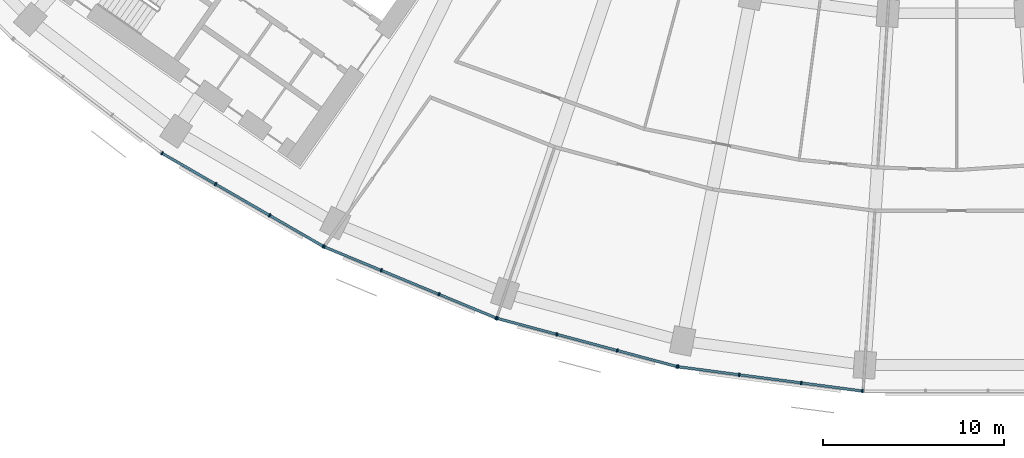
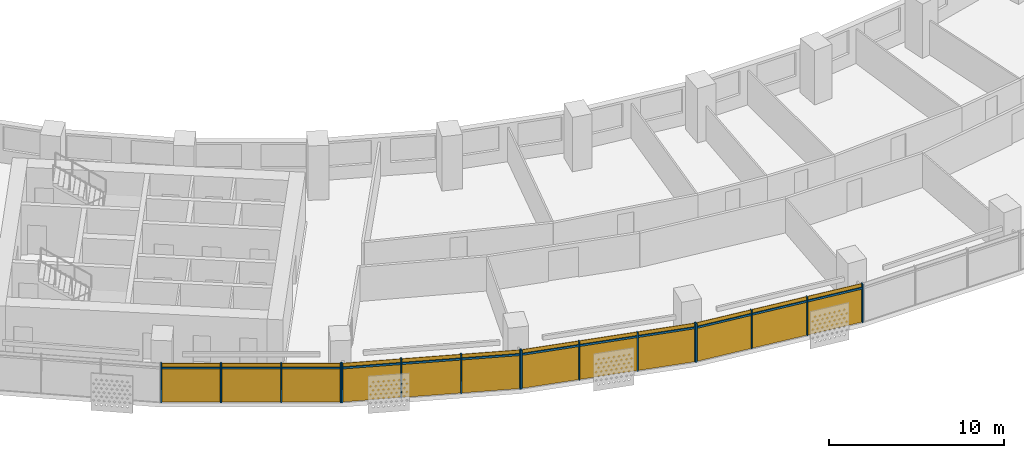
# One storey, part 20 of 29: 28 members, 4 curtain walls.
"""IFC4 building model written with IfcOpenShell, lengths in metres."""

from ifc_helpers import new_model, si_unit, direction, frame, origin, origin_2d, place, context, subcontext, project, spatial, rectangle, extrude, material, material_profile, profile_set, type_object, element, aggregate, save


model = new_model("IFC4")

# Units and contexts
model_context = context("Model", 3, precision=1e-05, world=origin(), true_north=direction((0.0, 1.0)))
body_context = subcontext(model_context, "Body", "Model", "MODEL_VIEW")
ifc_project = project(units=[si_unit("LENGTHUNIT", "METRE"), si_unit("AREAUNIT", "SQUARE_METRE"), si_unit("VOLUMEUNIT", "CUBIC_METRE"), si_unit("PLANEANGLEUNIT", "RADIAN"), si_unit("MASSUNIT", "GRAM", prefix="KILO")], contexts=[model_context])

# Member
ifc_material = material(Name="Aluminium 6063-T6 anodised", Category="aluminium")
ifc_material_profile_1 = material_profile(ifc_material, rectangle(XDim=0.199951171875, YDim=0.070068359375, at=origin_2d()))
ifc_profile_set_1 = profile_set([ifc_material_profile_1], Name="Aluminium 6063-T6 anodised")
member_type_1 = type_object("IfcMemberType", Name="Mullion 70 x 200 aluminium", PredefinedType="MULLION", material=ifc_profile_set_1)
site_placement = place(None, origin())
building_placement = place(site_placement, origin())
storey_placement = place(building_placement, frame((0.0, 0.0, 129.10009765625)))
member_1_placement = place(storey_placement, frame((-43.976318359375, -65.866455078125, 0.0), z_axis=(0.0, 0.0, 1.0), x_axis=(0.5, 0.866025403784, 0.0)))
member_1 = element("IfcMember", 1, at=member_1_placement, type_object=member_type_1, Name="e-cw1-L29-out05/M00", PredefinedType="MULLION", context=body_context, shape_type="SweptSolid", body=[
    extrude(rectangle(XDim=0.199951171875, YDim=0.070068359375, at=origin_2d()), origin(), (0.0, 0.0, 1.0), 2.699951171875),
])

member_2_placement = place(storey_placement, frame((-41.01220703125, -67.577880859375, 0.0), z_axis=(0.0, 0.0, 1.0), x_axis=(0.5, 0.866025403784, 0.0)))
member_2 = element("IfcMember", 2, at=member_2_placement, type_object=member_type_1, Name="e-cw1-L29-out05/M01", PredefinedType="MULLION", context=body_context, shape_type="SweptSolid", body=[
    extrude(rectangle(XDim=0.199951171875, YDim=0.070068359375, at=origin_2d()), origin(), (0.0, 0.0, 1.0), 2.699951171875),
])

member_3_placement = place(storey_placement, frame((-38.017822265625, -69.306640625, 0.0), z_axis=(0.0, 0.0, 1.0), x_axis=(0.5, 0.866025403784, 0.0)))
member_3 = element("IfcMember", 3, at=member_3_placement, type_object=member_type_1, Name="e-cw1-L29-out05/M02", PredefinedType="MULLION", context=body_context, shape_type="SweptSolid", body=[
    extrude(rectangle(XDim=0.199951171875, YDim=0.070068359375, at=origin_2d()), origin(), (0.0, 0.0, 1.0), 2.699951171875),
])

member_4_placement = place(storey_placement, frame((-35.0537109375, -71.017822265625, 0.0), z_axis=(0.0, 0.0, 1.0), x_axis=(0.5, 0.866025403784, 0.0)))
member_4 = element("IfcMember", 4, at=member_4_placement, type_object=member_type_1, Name="e-cw1-L29-out05/M03", PredefinedType="MULLION", context=body_context, shape_type="SweptSolid", body=[
    extrude(rectangle(XDim=0.199951171875, YDim=0.070068359375, at=origin_2d()), origin(), (0.0, 0.0, 1.0), 2.699951171875),
])

member_5_placement = place(storey_placement, frame((-35.0029296875, -71.04296875, 0.0), z_axis=(0.0, 0.0, 1.0), x_axis=(0.382683432365, 0.923879532511, 0.0)))
member_5 = element("IfcMember", 5, at=member_5_placement, type_object=member_type_1, Name="e-cw1-L29-out06/M00", PredefinedType="MULLION", context=body_context, shape_type="SweptSolid", body=[
    extrude(rectangle(XDim=0.199951171875, YDim=0.070068359375, at=origin_2d()), origin(), (0.0, 0.0, 1.0), 2.699951171875),
])

member_6_placement = place(storey_placement, frame((-31.8408203125, -72.352783203125, 0.0), z_axis=(0.0, 0.0, 1.0), x_axis=(0.382683432365, 0.923879532511, 0.0)))
member_6 = element("IfcMember", 6, at=member_6_placement, type_object=member_type_1, Name="e-cw1-L29-out06/M01", PredefinedType="MULLION", context=body_context, shape_type="SweptSolid", body=[
    extrude(rectangle(XDim=0.199951171875, YDim=0.070068359375, at=origin_2d()), origin(), (0.0, 0.0, 1.0), 2.699951171875),
])

member_7_placement = place(storey_placement, frame((-28.646240234375, -73.676025390625, 0.0), z_axis=(0.0, 0.0, 1.0), x_axis=(0.382683432365, 0.923879532511, 0.0)))
member_7 = element("IfcMember", 7, at=member_7_placement, type_object=member_type_1, Name="e-cw1-L29-out06/M02", PredefinedType="MULLION", context=body_context, shape_type="SweptSolid", body=[
    extrude(rectangle(XDim=0.199951171875, YDim=0.070068359375, at=origin_2d()), origin(), (0.0, 0.0, 1.0), 2.699951171875),
])

member_8_placement = place(storey_placement, frame((-25.484130859375, -74.98583984375, 0.0), z_axis=(0.0, 0.0, 1.0), x_axis=(0.382683432365, 0.923879532511, 0.0)))
member_8 = element("IfcMember", 8, at=member_8_placement, type_object=member_type_1, Name="e-cw1-L29-out06/M03", PredefinedType="MULLION", context=body_context, shape_type="SweptSolid", body=[
    extrude(rectangle(XDim=0.199951171875, YDim=0.070068359375, at=origin_2d()), origin(), (0.0, 0.0, 1.0), 2.699951171875),
])

member_9_placement = place(storey_placement, frame((-25.430419921875, -75.00390625, 0.0), z_axis=(0.0, 0.0, 1.0), x_axis=(0.258819045103, 0.965925826289, 0.0)))
member_9 = element("IfcMember", 9, at=member_9_placement, type_object=member_type_1, Name="e-cw1-L29-out07/M00", PredefinedType="MULLION", context=body_context, shape_type="SweptSolid", body=[
    extrude(rectangle(XDim=0.199951171875, YDim=0.070068359375, at=origin_2d()), origin(), (0.0, 0.0, 1.0), 2.699951171875),
])

member_10_placement = place(storey_placement, frame((-22.12451171875, -75.889892578125, 0.0), z_axis=(0.0, 0.0, 1.0), x_axis=(0.258819045103, 0.965925826289, 0.0)))
member_10 = element("IfcMember", 10, at=member_10_placement, type_object=member_type_1, Name="e-cw1-L29-out07/M01", PredefinedType="MULLION", context=body_context, shape_type="SweptSolid", body=[
    extrude(rectangle(XDim=0.199951171875, YDim=0.070068359375, at=origin_2d()), origin(), (0.0, 0.0, 1.0), 2.699951171875),
])

member_11_placement = place(storey_placement, frame((-18.78466796875, -76.78466796875, 0.0), z_axis=(0.0, 0.0, 1.0), x_axis=(0.258819045103, 0.965925826289, 0.0)))
member_11 = element("IfcMember", 11, at=member_11_placement, type_object=member_type_1, Name="e-cw1-L29-out07/M02", PredefinedType="MULLION", context=body_context, shape_type="SweptSolid", body=[
    extrude(rectangle(XDim=0.199951171875, YDim=0.070068359375, at=origin_2d()), origin(), (0.0, 0.0, 1.0), 2.699951171875),
])

member_12_placement = place(storey_placement, frame((-15.478515625, -77.670654296875, 0.0), z_axis=(0.0, 0.0, 1.0), x_axis=(0.258819045103, 0.965925826289, 0.0)))
member_12 = element("IfcMember", 12, at=member_12_placement, type_object=member_type_1, Name="e-cw1-L29-out07/M03", PredefinedType="MULLION", context=body_context, shape_type="SweptSolid", body=[
    extrude(rectangle(XDim=0.199951171875, YDim=0.070068359375, at=origin_2d()), origin(), (0.0, 0.0, 1.0), 2.699951171875),
])

member_13_placement = place(storey_placement, frame((-15.4228515625, -77.681640625, 0.0), z_axis=(0.0, 0.0, 1.0), x_axis=(0.13052619222, 0.991444861374, 0.0)))
member_13 = element("IfcMember", 13, at=member_13_placement, type_object=member_type_1, Name="e-cw1-L29-out08/M00", PredefinedType="MULLION", context=body_context, shape_type="SweptSolid", body=[
    extrude(rectangle(XDim=0.199951171875, YDim=0.070068359375, at=origin_2d()), origin(), (0.0, 0.0, 1.0), 2.699951171875),
])

member_14_placement = place(storey_placement, frame((-12.029541015625, -78.12841796875, 0.0), z_axis=(0.0, 0.0, 1.0), x_axis=(0.13052619222, 0.991444861374, 0.0)))
member_14 = element("IfcMember", 14, at=member_14_placement, type_object=member_type_1, Name="e-cw1-L29-out08/M01", PredefinedType="MULLION", context=body_context, shape_type="SweptSolid", body=[
    extrude(rectangle(XDim=0.199951171875, YDim=0.070068359375, at=origin_2d()), origin(), (0.0, 0.0, 1.0), 2.699951171875),
])

member_15_placement = place(storey_placement, frame((-8.6015625, -78.579833984375, 0.0), z_axis=(0.0, 0.0, 1.0), x_axis=(0.13052619222, 0.991444861374, 0.0)))
member_15 = element("IfcMember", 15, at=member_15_placement, type_object=member_type_1, Name="e-cw1-L29-out08/M02", PredefinedType="MULLION", context=body_context, shape_type="SweptSolid", body=[
    extrude(rectangle(XDim=0.199951171875, YDim=0.070068359375, at=origin_2d()), origin(), (0.0, 0.0, 1.0), 2.699951171875),
])

member_16_placement = place(storey_placement, frame((-5.2080078125, -79.026611328125, 0.0), z_axis=(0.0, 0.0, 1.0), x_axis=(0.13052619222, 0.991444861374, 0.0)))
member_16 = element("IfcMember", 16, at=member_16_placement, type_object=member_type_1, Name="e-cw1-L29-out08/M03", PredefinedType="MULLION", context=body_context, shape_type="SweptSolid", body=[
    extrude(rectangle(XDim=0.199951171875, YDim=0.070068359375, at=origin_2d()), origin(), (0.0, 0.0, 1.0), 2.699951171875),
])

ifc_material_profile_2 = material_profile(ifc_material, rectangle(XDim=0.139892578125, YDim=0.1201171875, at=origin_2d()))
ifc_profile_set_2 = profile_set([ifc_material_profile_2], Name="Aluminium 6063-T6 anodised")
member_type_2 = type_object("IfcMemberType", Name="Transom 120 x 140 aluminium", PredefinedType="USERDEFINED", material=ifc_profile_set_2)
member_17_placement = place(storey_placement, frame((-43.946044921875, -65.884033203125, 2.39990234375), z_axis=(0.866020654818, -0.50000822536, 0.0), x_axis=(0.50000822536, 0.866020654818, 0.0)))
member_17 = element("IfcMember", 17, at=member_17_placement, type_object=member_type_2, Name="e-cw1-L29-out05/T00", ObjectType="TRANSOM", PredefinedType="USERDEFINED", context=body_context, shape_type="SweptSolid", body=[
    extrude(rectangle(XDim=0.139892578125, YDim=0.1201171875, at=origin_2d()), origin(), (0.0, 0.0, 1.0), 3.3525390625),
])

member_18_placement = place(storey_placement, frame((-40.98193359375, -67.59521484375, 2.39990234375), z_axis=(0.866025971257, -0.499999017107, 0.0), x_axis=(0.499999017107, 0.866025971257, 0.0)))
member_18 = element("IfcMember", 18, at=member_18_placement, type_object=member_type_2, Name="e-cw1-L29-out05/T01", ObjectType="TRANSOM", PredefinedType="USERDEFINED", context=body_context, shape_type="SweptSolid", body=[
    extrude(rectangle(XDim=0.139892578125, YDim=0.1201171875, at=origin_2d()), origin(), (0.0, 0.0, 1.0), 3.3876953125),
])

member_19_placement = place(storey_placement, frame((-37.987548828125, -69.323974609375, 2.39990234375), z_axis=(0.865989120267, -0.50006283963, 0.0), x_axis=(0.50006283963, 0.865989120267, 0.0)))
member_19 = element("IfcMember", 19, at=member_19_placement, type_object=member_type_2, Name="e-cw1-L29-out05/T02", ObjectType="TRANSOM", PredefinedType="USERDEFINED", context=body_context, shape_type="SweptSolid", body=[
    extrude(rectangle(XDim=0.139892578125, YDim=0.1201171875, at=origin_2d()), origin(), (0.0, 0.0, 1.0), 3.3525390625),
])

member_20_placement = place(storey_placement, frame((-34.970458984375, -71.056396484375, 2.39990234375), z_axis=(0.923882814237, -0.382675509483, 0.0), x_axis=(0.382675509483, 0.923882814237, 0.0)))
member_20 = element("IfcMember", 20, at=member_20_placement, type_object=member_type_2, Name="e-cw1-L29-out06/T00", ObjectType="TRANSOM", PredefinedType="USERDEFINED", context=body_context, shape_type="SweptSolid", body=[
    extrude(rectangle(XDim=0.139892578125, YDim=0.1201171875, at=origin_2d()), origin(), (0.0, 0.0, 1.0), 3.3525390625),
])

member_21_placement = place(storey_placement, frame((-31.808349609375, -72.3662109375, 2.39990234375), z_axis=(0.923874529423, -0.382695510666, 0.0), x_axis=(0.382695510666, 0.923874529423, 0.0)))
member_21 = element("IfcMember", 21, at=member_21_placement, type_object=member_type_2, Name="e-cw1-L29-out06/T01", ObjectType="TRANSOM", PredefinedType="USERDEFINED", context=body_context, shape_type="SweptSolid", body=[
    extrude(rectangle(XDim=0.139892578125, YDim=0.1201171875, at=origin_2d()), origin(), (0.0, 0.0, 1.0), 3.387451171875),
])

member_22_placement = place(storey_placement, frame((-28.614013671875, -73.689453125, 2.39990234375), z_axis=(0.923882814237, -0.382675509483, 0.0), x_axis=(0.382675509483, 0.923882814237, 0.0)))
member_22 = element("IfcMember", 22, at=member_22_placement, type_object=member_type_2, Name="e-cw1-L29-out06/T02", ObjectType="TRANSOM", PredefinedType="USERDEFINED", context=body_context, shape_type="SweptSolid", body=[
    extrude(rectangle(XDim=0.139892578125, YDim=0.1201171875, at=origin_2d()), origin(), (0.0, 0.0, 1.0), 3.3525390625),
])

member_23_placement = place(storey_placement, frame((-25.396728515625, -75.01318359375, 2.39990234375), z_axis=(0.965932125453, -0.258795535157, 0.0), x_axis=(0.258795535157, 0.965932125453, 0.0)))
member_23 = element("IfcMember", 23, at=member_23_placement, type_object=member_type_2, Name="e-cw1-L29-out07/T00", ObjectType="TRANSOM", PredefinedType="USERDEFINED", context=body_context, shape_type="SweptSolid", body=[
    extrude(rectangle(XDim=0.139892578125, YDim=0.1201171875, at=origin_2d()), origin(), (0.0, 0.0, 1.0), 3.352783203125),
])

member_24_placement = place(storey_placement, frame((-22.090576171875, -75.89892578125, 2.39990234375), z_axis=(0.965931646033, -0.258797324547, 0.0), x_axis=(0.258797324547, 0.965931646033, 0.0)))
member_24 = element("IfcMember", 24, at=member_24_placement, type_object=member_type_2, Name="e-cw1-L29-out07/T01", ObjectType="TRANSOM", PredefinedType="USERDEFINED", context=body_context, shape_type="SweptSolid", body=[
    extrude(rectangle(XDim=0.139892578125, YDim=0.1201171875, at=origin_2d()), origin(), (0.0, 0.0, 1.0), 3.3876953125),
])

member_25_placement = place(storey_placement, frame((-18.750732421875, -76.7939453125, 2.39990234375), z_axis=(0.965927247937, -0.258813739382, 0.0), x_axis=(0.258813739382, 0.965927247937, 0.0)))
member_25 = element("IfcMember", 25, at=member_25_placement, type_object=member_type_2, Name="e-cw1-L29-out07/T02", ObjectType="TRANSOM", PredefinedType="USERDEFINED", context=body_context, shape_type="SweptSolid", body=[
    extrude(rectangle(XDim=0.139892578125, YDim=0.1201171875, at=origin_2d()), origin(), (0.0, 0.0, 1.0), 3.3525390625),
])

member_26_placement = place(storey_placement, frame((-15.38818359375, -77.686279296875, 2.39990234375), z_axis=(0.991449089759, -0.130494070426, 0.0), x_axis=(0.130494070426, 0.991449089759, 0.0)))
member_26 = element("IfcMember", 26, at=member_26_placement, type_object=member_type_2, Name="e-cw1-L29-out08/T00", ObjectType="TRANSOM", PredefinedType="USERDEFINED", context=body_context, shape_type="SweptSolid", body=[
    extrude(rectangle(XDim=0.139892578125, YDim=0.1201171875, at=origin_2d()), origin(), (0.0, 0.0, 1.0), 3.3525390625),
])

member_27_placement = place(storey_placement, frame((-11.994873046875, -78.133056640625, 2.39990234375), z_axis=(0.991446198807, -0.130516033004, 0.0), x_axis=(0.130516033004, 0.991446198807, 0.0)))
member_27 = element("IfcMember", 27, at=member_27_placement, type_object=member_type_2, Name="e-cw1-L29-out08/T01", ObjectType="TRANSOM", PredefinedType="USERDEFINED", context=body_context, shape_type="SweptSolid", body=[
    extrude(rectangle(XDim=0.139892578125, YDim=0.1201171875, at=origin_2d()), origin(), (0.0, 0.0, 1.0), 3.3876953125),
])

member_28_placement = place(storey_placement, frame((-8.56689453125, -78.584228515625, 2.39990234375), z_axis=(0.991439665896, -0.130565649721, 0.0), x_axis=(0.130565649721, 0.991439665896, 0.0)))
member_28 = element("IfcMember", 28, at=member_28_placement, type_object=member_type_2, Name="e-cw1-L29-out08/T02", ObjectType="TRANSOM", PredefinedType="USERDEFINED", context=body_context, shape_type="SweptSolid", body=[
    extrude(rectangle(XDim=0.139892578125, YDim=0.1201171875, at=origin_2d()), origin(), (0.0, 0.0, 1.0), 3.352783203125),
])

# Site, building, storey
site = spatial("IfcSite", under=ifc_project, at=site_placement, CompositionType="ELEMENT")
building = spatial("IfcBuilding", under=site, at=building_placement, Name="Qamariyya Broadcast Tower", CompositionType="ELEMENT")
storey = spatial("IfcBuildingStorey", under=building, at=storey_placement, Name="L29", CompositionType="ELEMENT", Elevation=129.10009765625)

# Curtain wall
curtain_wall_type = type_object("IfcCurtainWallType", Name="Unitised curtain wall, anodised aluminium", PredefinedType="NOTDEFINED", material=ifc_material)
curtain_wall_1_placement = place(storey_placement, origin())
curtain_wall_1 = element("IfcCurtainWall", 29, at=curtain_wall_1_placement, inside=storey, type_object=curtain_wall_type, Name="e-cw1-L29-out05", PredefinedType="NOTDEFINED", context=body_context, shape_type="SweptSolid", body=[
    extrude(rectangle(XDim=3.352783203125, YDim=0.031982421875, at=origin_2d()), frame((-42.494384765625, -66.72216796875, 0.0), x_axis=(0.866027243369, -0.499996813733, 0.0)), (0.0, 0.0, 1.0), 2.340087890625),
    extrude(rectangle(XDim=3.352783203125, YDim=0.031982421875, at=origin_2d()), frame((-42.494384765625, -66.72216796875, 2.4599609375), x_axis=(0.866027243369, -0.499996813733, 0.0)), (0.0, 0.0, 1.0), 0.239990234375),
    extrude(rectangle(XDim=3.3876953125, YDim=0.031982421875, at=origin_2d()), frame((-39.51513671875, -68.442138671875, 0.0), x_axis=(0.866027243369, -0.499996813733, 0.0)), (0.0, 0.0, 1.0), 2.340087890625),
    extrude(rectangle(XDim=3.3876953125, YDim=0.031982421875, at=origin_2d()), frame((-39.51513671875, -68.442138671875, 2.4599609375), x_axis=(0.866027243369, -0.499996813733, 0.0)), (0.0, 0.0, 1.0), 0.239990234375),
    extrude(rectangle(XDim=3.352783203125, YDim=0.031982421875, at=origin_2d()), frame((-36.535888671875, -70.162109375, 0.0), x_axis=(0.866027243369, -0.499996813733, 0.0)), (0.0, 0.0, 1.0), 2.340087890625),
    extrude(rectangle(XDim=3.352783203125, YDim=0.031982421875, at=origin_2d()), frame((-36.535888671875, -70.162109375, 2.4599609375), x_axis=(0.866027243369, -0.499996813733, 0.0)), (0.0, 0.0, 1.0), 0.239990234375),
])

aggregate(curtain_wall_1, [member_1, member_2, member_3, member_4, member_17, member_18, member_19])

curtain_wall_2_placement = place(storey_placement, origin())
curtain_wall_2 = element("IfcCurtainWall", 30, at=curtain_wall_2_placement, inside=storey, type_object=curtain_wall_type, Name="e-cw1-L29-out06", PredefinedType="NOTDEFINED", context=body_context, shape_type="SweptSolid", body=[
    extrude(rectangle(XDim=3.3525390625, YDim=0.031982421875, at=origin_2d()), frame((-33.421875, -71.69775390625, 0.0), x_axis=(0.923872250857, -0.382701011361, 0.0)), (0.0, 0.0, 1.0), 2.340087890625),
    extrude(rectangle(XDim=3.3525390625, YDim=0.031982421875, at=origin_2d()), frame((-33.421875, -71.69775390625, 2.4599609375), x_axis=(0.923872250857, -0.382701011361, 0.0)), (0.0, 0.0, 1.0), 0.239990234375),
    extrude(rectangle(XDim=3.3876953125, YDim=0.031982421875, at=origin_2d()), frame((-30.24365234375, -73.014404296875, 0.0), x_axis=(0.923872250857, -0.382701011361, 0.0)), (0.0, 0.0, 1.0), 2.340087890625),
    extrude(rectangle(XDim=3.3876953125, YDim=0.031982421875, at=origin_2d()), frame((-30.24365234375, -73.014404296875, 2.4599609375), x_axis=(0.923872250857, -0.382701011361, 0.0)), (0.0, 0.0, 1.0), 0.239990234375),
    extrude(rectangle(XDim=3.3525390625, YDim=0.031982421875, at=origin_2d()), frame((-27.065185546875, -74.3310546875, 0.0), x_axis=(0.923872250857, -0.382701011361, 0.0)), (0.0, 0.0, 1.0), 2.340087890625),
    extrude(rectangle(XDim=3.3525390625, YDim=0.031982421875, at=origin_2d()), frame((-27.065185546875, -74.3310546875, 2.4599609375), x_axis=(0.923872250857, -0.382701011361, 0.0)), (0.0, 0.0, 1.0), 0.239990234375),
])

aggregate(curtain_wall_2, [member_5, member_6, member_7, member_8, member_20, member_21, member_22])

curtain_wall_3_placement = place(storey_placement, origin())
curtain_wall_3 = element("IfcCurtainWall", 31, at=curtain_wall_3_placement, inside=storey, type_object=curtain_wall_type, Name="e-cw1-L29-out07", PredefinedType="NOTDEFINED", context=body_context, shape_type="SweptSolid", body=[
    extrude(rectangle(XDim=3.352783203125, YDim=0.031982421875, at=origin_2d()), frame((-23.777587890625, -75.44677734375, 0.0), x_axis=(0.965923677743, -0.258827063454, 0.0)), (0.0, 0.0, 1.0), 2.340087890625),
    extrude(rectangle(XDim=3.352783203125, YDim=0.031982421875, at=origin_2d()), frame((-23.777587890625, -75.44677734375, 2.4599609375), x_axis=(0.965923677743, -0.258827063454, 0.0)), (0.0, 0.0, 1.0), 0.239990234375),
    extrude(rectangle(XDim=3.3876953125, YDim=0.031982421875, at=origin_2d()), frame((-20.45458984375, -76.33740234375, 0.0), x_axis=(0.965923677743, -0.258827063454, 0.0)), (0.0, 0.0, 1.0), 2.340087890625),
    extrude(rectangle(XDim=3.3876953125, YDim=0.031982421875, at=origin_2d()), frame((-20.45458984375, -76.33740234375, 2.4599609375), x_axis=(0.965923677743, -0.258827063454, 0.0)), (0.0, 0.0, 1.0), 0.239990234375),
    extrude(rectangle(XDim=3.352783203125, YDim=0.031982421875, at=origin_2d()), frame((-17.131591796875, -77.227783203125, 0.0), x_axis=(0.965923677743, -0.258827063454, 0.0)), (0.0, 0.0, 1.0), 2.340087890625),
    extrude(rectangle(XDim=3.352783203125, YDim=0.031982421875, at=origin_2d()), frame((-17.131591796875, -77.227783203125, 2.4599609375), x_axis=(0.965923677743, -0.258827063454, 0.0)), (0.0, 0.0, 1.0), 0.239990234375),
])

aggregate(curtain_wall_3, [member_9, member_10, member_11, member_12, member_23, member_24, member_25])

curtain_wall_4_placement = place(storey_placement, origin())
curtain_wall_4 = element("IfcCurtainWall", 32, at=curtain_wall_4_placement, inside=storey, type_object=curtain_wall_type, Name="e-cw1-L29-out08", PredefinedType="NOTDEFINED", context=body_context, shape_type="SweptSolid", body=[
    extrude(rectangle(XDim=3.3525390625, YDim=0.031982421875, at=origin_2d()), frame((-13.72607421875, -77.9052734375, 0.0), x_axis=(0.991447084105, -0.13050930779, 0.0)), (0.0, 0.0, 1.0), 2.340087890625),
    extrude(rectangle(XDim=3.3525390625, YDim=0.031982421875, at=origin_2d()), frame((-13.72607421875, -77.9052734375, 2.4599609375), x_axis=(0.991447084105, -0.13050930779, 0.0)), (0.0, 0.0, 1.0), 0.239990234375),
    extrude(rectangle(XDim=3.3876953125, YDim=0.031982421875, at=origin_2d()), frame((-10.3154296875, -78.35400390625, 0.0), x_axis=(0.991447084105, -0.13050930779, 0.0)), (0.0, 0.0, 1.0), 2.340087890625),
    extrude(rectangle(XDim=3.3876953125, YDim=0.031982421875, at=origin_2d()), frame((-10.3154296875, -78.35400390625, 2.4599609375), x_axis=(0.991447084105, -0.13050930779, 0.0)), (0.0, 0.0, 1.0), 0.239990234375),
    extrude(rectangle(XDim=3.3525390625, YDim=0.031982421875, at=origin_2d()), frame((-6.90478515625, -78.802978515625, 0.0), x_axis=(0.991447084105, -0.13050930779, 0.0)), (0.0, 0.0, 1.0), 2.340087890625),
    extrude(rectangle(XDim=3.3525390625, YDim=0.031982421875, at=origin_2d()), frame((-6.90478515625, -78.802978515625, 2.4599609375), x_axis=(0.991447084105, -0.13050930779, 0.0)), (0.0, 0.0, 1.0), 0.239990234375),
])

aggregate(curtain_wall_4, [member_13, member_14, member_15, member_16, member_26, member_27, member_28])

save(model, "model.ifc")
